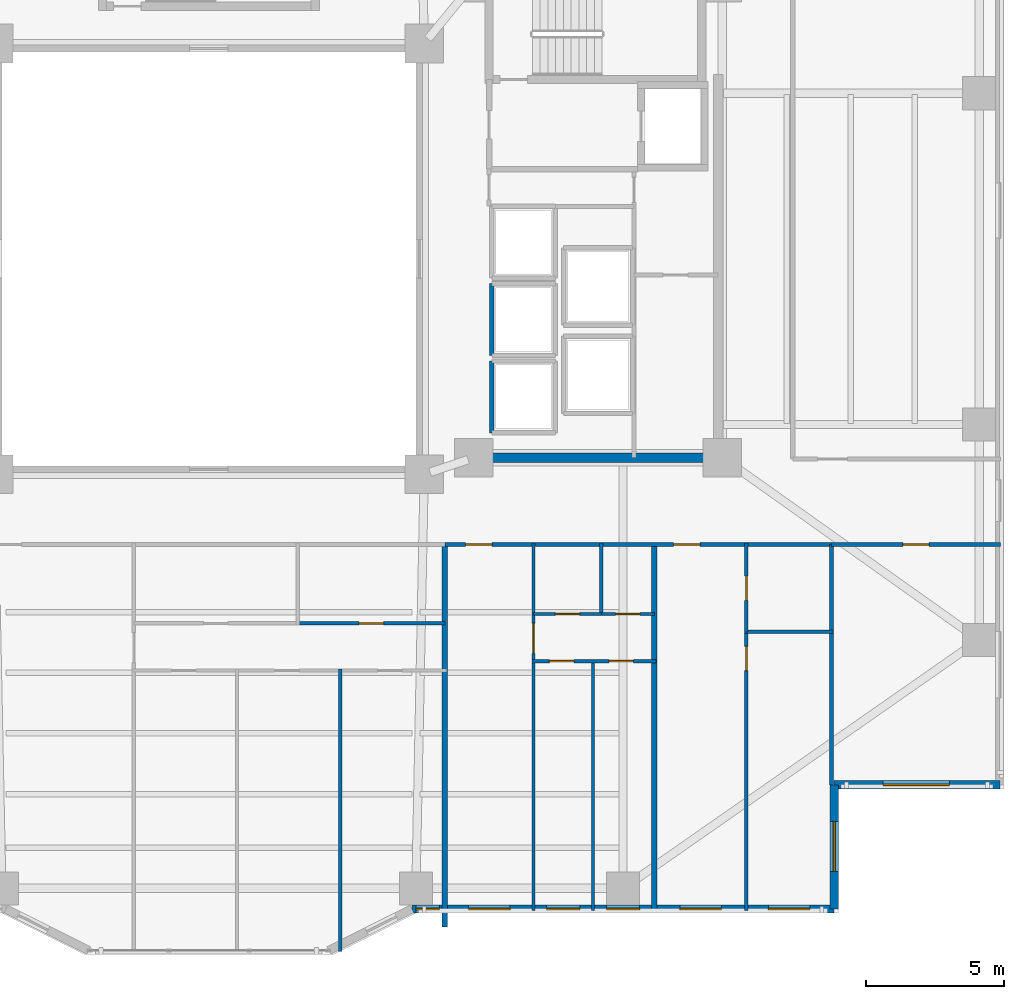
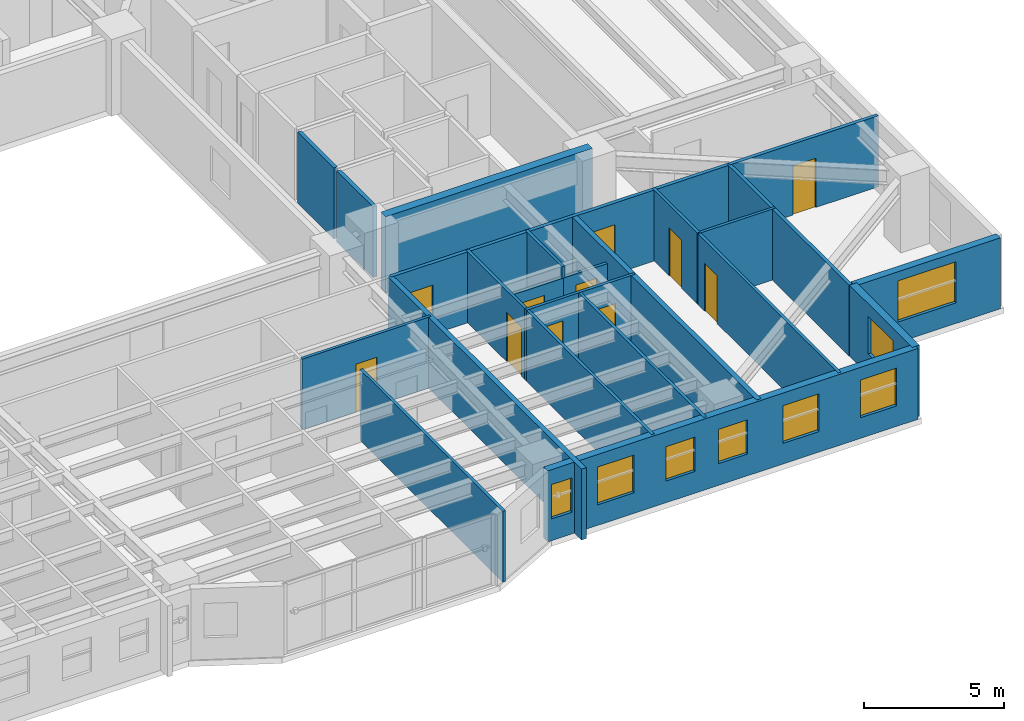
# One storey, part 12 of 21: 22 walls, 11 doors, 8 windows, 19 openings.
"""IFC4 building model written with IfcOpenShell, lengths in metres."""

from ifc_helpers import new_model, si_unit, direction, frame, frame_2d, origin, place, context, subcontext, project, spatial, rectangle, extrude, material, layer, layer_set, type_object, element, fill, save


model = new_model("IFC4")

# Units and contexts
model_context = context("Model", 3, precision=1e-05, world=origin(), true_north=direction((0.0, 1.0)))
body_context = subcontext(model_context, "Body", "Model", "MODEL_VIEW")
ifc_project = project(units=[si_unit("LENGTHUNIT", "METRE"), si_unit("AREAUNIT", "SQUARE_METRE"), si_unit("VOLUMEUNIT", "CUBIC_METRE"), si_unit("PLANEANGLEUNIT", "RADIAN"), si_unit("MASSUNIT", "GRAM", prefix="KILO")], contexts=[model_context])

# Site, building, storey
site_placement = place(None, origin())
site = spatial("IfcSite", under=ifc_project, at=site_placement, CompositionType="ELEMENT")
building_placement = place(site_placement, origin())
building = spatial("IfcBuilding", under=site, at=building_placement, Name="Tarnavaz Court Tower", CompositionType="ELEMENT")
storey_placement = place(building_placement, frame((0.0, 0.0, 40.75)))
storey = spatial("IfcBuildingStorey", under=building, at=storey_placement, Name="L10", CompositionType="ELEMENT", Elevation=40.75)

# Wall
ifc_material_1 = material(Name="Concrete C60/75", Category="concrete")
ifc_layer_1 = layer(ifc_material_1, 0.35009765625)
ifc_layer_set_1 = layer_set([ifc_layer_1], Name="Concrete C60/75")
wall_type_1 = type_object("IfcWallType", Name="WL-CORE-350-C60", PredefinedType="SHEAR", material=ifc_layer_set_1)
wall_1_placement = place(storey_placement, frame((10.074951171875, -7.199951171875, 0.0), z_axis=(0.0, 0.0, 1.0), x_axis=(1.0, 0.0, 0.0)))
element("IfcWall", 1, at=wall_1_placement, inside=storey, type_object=wall_type_1, Name="L10 East Core South Shear Wall 072", PredefinedType="SHEAR", context=body_context, shape_type="SweptSolid", body=[
    extrude(rectangle(XDim=8.550048828125, YDim=0.35009765625, at=frame_2d((4.27490234375, 0.0))), origin(), (0.0, 0.0, 1.0), 3.35009765625),
])

# Wall, opening, window
ifc_material_2 = material(Name="Precast Concrete C40/50", Category="concrete")
ifc_layer_2 = layer(ifc_material_2, 0.300048828125)
ifc_layer_set_2 = layer_set([ifc_layer_2], Name="Precast Concrete C40/50")
wall_type_2 = type_object("IfcWallType", Name="WL-EXT-300", PredefinedType="SOLIDWALL", material=ifc_layer_set_2)
wall_2_placement = place(storey_placement, frame((28.64990234375, -19.050048828125, 0.0), z_axis=(0.0, 0.0, 1.0), x_axis=(-1.0, 0.0, 0.0)))
wall_2 = element("IfcWall", 2, at=wall_2_placement, inside=storey, type_object=wall_type_2, Name="L10 Exterior Terracotta Facade Wall 13", PredefinedType="SOLIDWALL", context=body_context, shape_type="SweptSolid", body=[
    extrude(rectangle(XDim=6.0, YDim=0.300048828125, at=frame_2d((3.0, 0.0))), origin(), (0.0, 0.0, 1.0), 3.10009765625),
])
opening_1_placement = place(wall_2_placement, frame((1.824951171875, 0.0, 0.89990234375)))
opening_1 = element("IfcOpeningElement", 3, at=opening_1_placement, cuts=wall_2, Name="Opening W06", PredefinedType="OPENING", context=body_context, shape_type="SweptSolid", body=[
    extrude(rectangle(XDim=2.39990234375, YDim=1.800048828125, at=frame_2d((1.199951171875, 0.89990234375))), frame((0.0, 0.159912109375, 0.0), z_axis=(0.0, -1.0, 0.0), x_axis=(1.0, 0.0, 0.0)), (0.0, 0.0, 1.0), 0.320068359375),
])
ifc_material_3 = material(Name="Double-Glazed Solar Low-E Glass", Category="glass")
window_type_1 = type_object("IfcWindowType", Name="WN-APT-2400", PartitioningType="TRIPLE_PANEL_VERTICAL", PredefinedType="WINDOW", material=ifc_material_3)
window_1_placement = place(opening_1_placement, origin())
window_1 = element("IfcWindow", 4, at=window_1_placement, inside=storey, type_object=window_type_1, Name="L10 South-East Corner Reading Room Window", OverallHeight=1.800048828125, OverallWidth=2.39990234375, PartitioningType="SINGLE_PANEL", PredefinedType="WINDOW", context=body_context, shape_type="SweptSolid", body=[
    extrude(rectangle(XDim=2.39990234375, YDim=1.800048828125, at=frame_2d((1.199951171875, 0.89990234375))), frame((0.0, 0.030029296875, 0.0), z_axis=(0.0, -1.0, 0.0), x_axis=(1.0, 0.0, 0.0)), (0.0, 0.0, 1.0), 0.06005859375),
])
fill(opening_1, window_1)

wall_3_placement = place(storey_placement, frame((22.64990234375, -19.050048828125, 0.0), z_axis=(0.0, 0.0, 1.0), x_axis=(0.0, -1.0, 0.0)))
wall_3 = element("IfcWall", 5, at=wall_3_placement, inside=storey, type_object=wall_type_2, Name="L10 Exterior Terracotta Facade Wall 14", PredefinedType="SOLIDWALL", context=body_context, shape_type="SweptSolid", body=[
    extrude(rectangle(XDim=4.5, YDim=0.300048828125, at=frame_2d((2.25, 0.0))), origin(), (0.0, 0.0, 1.0), 3.10009765625),
])
opening_2_placement = place(wall_3_placement, frame((1.33251953125, 0.0, 0.89990234375)))
opening_2 = element("IfcOpeningElement", 6, at=opening_2_placement, cuts=wall_3, Name="Opening W01", PredefinedType="OPENING", context=body_context, shape_type="SweptSolid", body=[
    extrude(rectangle(XDim=1.800048828125, YDim=1.64990234375, at=frame_2d((0.89990234375, 0.824951171875))), frame((0.0, 0.159912109375, 0.0), z_axis=(0.0, -1.0, 0.0), x_axis=(1.0, 0.0, 0.0)), (0.0, 0.0, 1.0), 0.320068359375),
])
window_type_2 = type_object("IfcWindowType", Name="WN-APT-1800", PartitioningType="DOUBLE_PANEL_VERTICAL", PredefinedType="WINDOW", material=ifc_material_3)
window_2_placement = place(opening_2_placement, origin())
window_2 = element("IfcWindow", 7, at=window_2_placement, inside=storey, type_object=window_type_2, Name="L10 Flat 06 Kitchen Window", OverallHeight=1.64990234375, OverallWidth=1.800048828125, PartitioningType="SINGLE_PANEL", PredefinedType="WINDOW", context=body_context, shape_type="SweptSolid", body=[
    extrude(rectangle(XDim=1.800048828125, YDim=1.64990234375, at=frame_2d((0.89990234375, 0.824951171875))), frame((0.0, 0.030029296875, 0.0), z_axis=(0.0, -1.0, 0.0), x_axis=(1.0, 0.0, 0.0)), (0.0, 0.0, 1.0), 0.06005859375),
])
fill(opening_2, window_2)

# Wall, openings, windows
wall_4_placement = place(storey_placement, frame((22.64990234375, -23.550048828125, 0.0), z_axis=(0.0, 0.0, 1.0), x_axis=(-1.0, 0.0, 0.0)))
wall_4 = element("IfcWall", 8, at=wall_4_placement, inside=storey, type_object=wall_type_2, Name="L10 Exterior Terracotta Facade Wall 15", PredefinedType="SOLIDWALL", context=body_context, shape_type="SweptSolid", body=[
    extrude(rectangle(XDim=15.2998046875, YDim=0.300048828125, at=frame_2d((7.64990234375, 0.0))), origin(), (0.0, 0.0, 1.0), 3.10009765625),
])
opening_3_placement = place(wall_4_placement, frame((0.88037109375, 0.0, 0.89990234375)))
opening_3 = element("IfcOpeningElement", 9, at=opening_3_placement, cuts=wall_4, Name="Opening W03", PredefinedType="OPENING", context=body_context, shape_type="SweptSolid", body=[
    extrude(rectangle(XDim=1.5, YDim=1.64990234375, at=frame_2d((0.75, 0.824951171875))), frame((0.0, 0.159912109375, 0.0), z_axis=(0.0, -1.0, 0.0), x_axis=(1.0, 0.0, 0.0)), (0.0, 0.0, 1.0), 0.320068359375),
])
opening_4_placement = place(wall_4_placement, frame((4.0908203125, 0.0, 0.89990234375)))
opening_4 = element("IfcOpeningElement", 10, at=opening_4_placement, cuts=wall_4, Name="Opening W03", PredefinedType="OPENING", context=body_context, shape_type="SweptSolid", body=[
    extrude(rectangle(XDim=1.5, YDim=1.64990234375, at=frame_2d((0.75, 0.824951171875))), frame((0.0, 0.159912109375, 0.0), z_axis=(0.0, -1.0, 0.0), x_axis=(1.0, 0.0, 0.0)), (0.0, 0.0, 1.0), 0.320068359375),
])
opening_5_placement = place(wall_4_placement, frame((7.04541015625, 0.0, 0.949951171875)))
opening_5 = element("IfcOpeningElement", 11, at=opening_5_placement, cuts=wall_4, Name="Opening W05", PredefinedType="OPENING", context=body_context, shape_type="SweptSolid", body=[
    extrude(rectangle(XDim=1.199951171875, YDim=1.5, at=frame_2d((0.60009765625, 0.75))), frame((0.0, 0.159912109375, 0.0), z_axis=(0.0, -1.0, 0.0), x_axis=(1.0, 0.0, 0.0)), (0.0, 0.0, 1.0), 0.320068359375),
])
opening_6_placement = place(wall_4_placement, frame((9.2119140625, 0.0, 0.949951171875)))
opening_6 = element("IfcOpeningElement", 12, at=opening_6_placement, cuts=wall_4, Name="Opening W05", PredefinedType="OPENING", context=body_context, shape_type="SweptSolid", body=[
    extrude(rectangle(XDim=1.199951171875, YDim=1.5, at=frame_2d((0.60009765625, 0.75))), frame((0.0, 0.159912109375, 0.0), z_axis=(0.0, -1.0, 0.0), x_axis=(1.0, 0.0, 0.0)), (0.0, 0.0, 1.0), 0.320068359375),
])
opening_7_placement = place(wall_4_placement, frame((11.74072265625, 0.0, 0.89990234375)))
opening_7 = element("IfcOpeningElement", 13, at=opening_7_placement, cuts=wall_4, Name="Opening W03", PredefinedType="OPENING", context=body_context, shape_type="SweptSolid", body=[
    extrude(rectangle(XDim=1.5, YDim=1.64990234375, at=frame_2d((0.75, 0.824951171875))), frame((0.0, 0.159912109375, 0.0), z_axis=(0.0, -1.0, 0.0), x_axis=(1.0, 0.0, 0.0)), (0.0, 0.0, 1.0), 0.320068359375),
])
opening_8_placement = place(wall_4_placement, frame((14.30322265625, 0.0, 0.949951171875)))
opening_8 = element("IfcOpeningElement", 14, at=opening_8_placement, cuts=wall_4, Name="Opening W15", PredefinedType="OPENING", context=body_context, shape_type="SweptSolid", body=[
    extrude(rectangle(XDim=0.85009765625, YDim=1.5, at=frame_2d((0.425048828125, 0.75))), frame((0.0, 0.159912109375, 0.0), z_axis=(0.0, -1.0, 0.0), x_axis=(1.0, 0.0, 0.0)), (0.0, 0.0, 1.0), 0.320068359375),
])
window_type_3 = type_object("IfcWindowType", Name="WN-APT-1200", PartitioningType="SINGLE_PANEL", PredefinedType="WINDOW", material=ifc_material_3)
window_3_placement = place(opening_5_placement, origin())
window_3 = element("IfcWindow", 15, at=window_3_placement, inside=storey, type_object=window_type_3, Name="L10 Flat 05 Bedroom 2 Window", OverallHeight=1.5, OverallWidth=1.199951171875, PartitioningType="SINGLE_PANEL", PredefinedType="WINDOW", context=body_context, shape_type="SweptSolid", body=[
    extrude(rectangle(XDim=1.199951171875, YDim=1.5, at=frame_2d((0.60009765625, 0.75))), frame((0.0, 0.030029296875, 0.0), z_axis=(0.0, -1.0, 0.0), x_axis=(1.0, 0.0, 0.0)), (0.0, 0.0, 1.0), 0.06005859375),
])
fill(opening_5, window_3)
window_4_placement = place(opening_6_placement, origin())
window_4 = element("IfcWindow", 16, at=window_4_placement, inside=storey, type_object=window_type_3, Name="L10 Flat 05 Principal Bedroom Window", OverallHeight=1.5, OverallWidth=1.199951171875, PartitioningType="SINGLE_PANEL", PredefinedType="WINDOW", context=body_context, shape_type="SweptSolid", body=[
    extrude(rectangle(XDim=1.199951171875, YDim=1.5, at=frame_2d((0.60009765625, 0.75))), frame((0.0, 0.030029296875, 0.0), z_axis=(0.0, -1.0, 0.0), x_axis=(1.0, 0.0, 0.0)), (0.0, 0.0, 1.0), 0.06005859375),
])
fill(opening_6, window_4)
window_type_4 = type_object("IfcWindowType", Name="WN-APT-1500", PartitioningType="DOUBLE_PANEL_VERTICAL", PredefinedType="WINDOW", material=ifc_material_3)
window_5_placement = place(opening_3_placement, origin())
window_5 = element("IfcWindow", 17, at=window_5_placement, inside=storey, type_object=window_type_4, Name="L10 Flat 06 Kitchen Window", OverallHeight=1.64990234375, OverallWidth=1.5, PartitioningType="SINGLE_PANEL", PredefinedType="WINDOW", context=body_context, shape_type="SweptSolid", body=[
    extrude(rectangle(XDim=1.5, YDim=1.64990234375, at=frame_2d((0.75, 0.824951171875))), frame((0.0, 0.030029296875, 0.0), z_axis=(0.0, -1.0, 0.0), x_axis=(1.0, 0.0, 0.0)), (0.0, 0.0, 1.0), 0.06005859375),
])
fill(opening_3, window_5)
window_6_placement = place(opening_4_placement, origin())
window_6 = element("IfcWindow", 18, at=window_6_placement, inside=storey, type_object=window_type_4, Name="L10 Flat 06 Studio Living and Sleeping Room Window", OverallHeight=1.64990234375, OverallWidth=1.5, PartitioningType="SINGLE_PANEL", PredefinedType="WINDOW", context=body_context, shape_type="SweptSolid", body=[
    extrude(rectangle(XDim=1.5, YDim=1.64990234375, at=frame_2d((0.75, 0.824951171875))), frame((0.0, 0.030029296875, 0.0), z_axis=(0.0, -1.0, 0.0), x_axis=(1.0, 0.0, 0.0)), (0.0, 0.0, 1.0), 0.06005859375),
])
fill(opening_4, window_6)
window_7_placement = place(opening_7_placement, origin())
window_7 = element("IfcWindow", 19, at=window_7_placement, inside=storey, type_object=window_type_4, Name="L10 Flat 05 Living and Dining Room Window", OverallHeight=1.64990234375, OverallWidth=1.5, PartitioningType="SINGLE_PANEL", PredefinedType="WINDOW", context=body_context, shape_type="SweptSolid", body=[
    extrude(rectangle(XDim=1.5, YDim=1.64990234375, at=frame_2d((0.75, 0.824951171875))), frame((0.0, 0.030029296875, 0.0), z_axis=(0.0, -1.0, 0.0), x_axis=(1.0, 0.0, 0.0)), (0.0, 0.0, 1.0), 0.06005859375),
])
fill(opening_7, window_7)
window_type_5 = type_object("IfcWindowType", Name="WN-APT-850", PartitioningType="SINGLE_PANEL", PredefinedType="WINDOW", material=ifc_material_3)
window_8_placement = place(opening_8_placement, origin())
window_8 = element("IfcWindow", 20, at=window_8_placement, inside=storey, type_object=window_type_5, Name="L10 Flat 07 Bedroom 3 Window", OverallHeight=1.5, OverallWidth=0.85009765625, PartitioningType="SINGLE_PANEL", PredefinedType="WINDOW", context=body_context, shape_type="SweptSolid", body=[
    extrude(rectangle(XDim=0.85009765625, YDim=1.5, at=frame_2d((0.425048828125, 0.75))), frame((0.0, 0.030029296875, 0.0), z_axis=(0.0, -1.0, 0.0), x_axis=(1.0, 0.0, 0.0)), (0.0, 0.0, 1.0), 0.06005859375),
])
fill(opening_8, window_8)

# Wall, openings, doors
ifc_material_4 = material(Name="Gypsum Fire-Board on Acoustic Metal Stud", Category="masonry")
ifc_layer_3 = layer(ifc_material_4, 0.14990234375)
ifc_layer_set_3 = layer_set([ifc_layer_3], Name="Gypsum Fire-Board on Acoustic Metal Stud")
wall_type_3 = type_object("IfcWallType", Name="WL-FIRE-150", PredefinedType="PARTITIONING", material=ifc_layer_set_3)
wall_5_placement = place(storey_placement, frame((8.550048828125, -10.35009765625, 0.0), z_axis=(0.0, 0.0, 1.0), x_axis=(1.0, 0.0, 0.0)))
wall_5 = element("IfcWall", 21, at=wall_5_placement, inside=storey, type_object=wall_type_3, Name="L10 SE Corridor Wall 087", PredefinedType="PARTITIONING", context=body_context, shape_type="SweptSolid", body=[
    extrude(rectangle(XDim=14.0, YDim=0.14990234375, at=frame_2d((7.0, 0.0))), origin(), (0.0, 0.0, 1.0), 3.10009765625),
])
opening_9_placement = place(wall_5_placement, frame((0.75, 0.0, 0.0)))
opening_9 = element("IfcOpeningElement", 22, at=opening_9_placement, cuts=wall_5, Name="Opening D06", PredefinedType="OPENING", context=body_context, shape_type="SweptSolid", body=[
    extrude(rectangle(XDim=0.9599609375, YDim=2.14990234375, at=frame_2d((0.47998046875, 1.074951171875))), frame((0.0, 0.0849609375, 0.0), z_axis=(0.0, -1.0, 0.0), x_axis=(1.0, 0.0, 0.0)), (0.0, 0.0, 1.0), 0.169921875),
])
opening_10_placement = place(wall_5_placement, frame((8.282958984375, 0.0, 0.0)))
opening_10 = element("IfcOpeningElement", 23, at=opening_10_placement, cuts=wall_5, Name="Opening D06", PredefinedType="OPENING", context=body_context, shape_type="SweptSolid", body=[
    extrude(rectangle(XDim=0.9599609375, YDim=2.14990234375, at=frame_2d((0.47998046875, 1.074951171875))), frame((0.0, 0.0849609375, 0.0), z_axis=(0.0, -1.0, 0.0), x_axis=(1.0, 0.0, 0.0)), (0.0, 0.0, 1.0), 0.169921875),
])
ifc_material_5 = material(Name="Fire-Rated Hardwood Timber Core", Category="wood")
door_type_1 = type_object("IfcDoorType", Name="DR-FD60-950", OperationType="NOTDEFINED", PredefinedType="DOOR", material=ifc_material_5)
door_1_placement = place(opening_9_placement, origin())
door_1 = element("IfcDoor", 24, at=door_1_placement, inside=storey, type_object=door_type_1, Name="L10 Flat 05 Entrance Door", OperationType="SINGLE_SWING_LEFT", OverallHeight=2.14990234375, OverallWidth=0.9599609375, PredefinedType="DOOR", context=body_context, shape_type="SweptSolid", body=[
    extrude(rectangle(XDim=0.9599609375, YDim=2.14990234375, at=frame_2d((0.47998046875, 1.074951171875))), frame((0.0, 0.02490234375, 0.0), z_axis=(0.0, -1.0, 0.0), x_axis=(1.0, 0.0, 0.0)), (0.0, 0.0, 1.0), 0.050048828125),
])
fill(opening_9, door_1)
door_2_placement = place(opening_10_placement, origin())
door_2 = element("IfcDoor", 25, at=door_2_placement, inside=storey, type_object=door_type_1, Name="L10 Flat 06 Entrance Door", OperationType="SINGLE_SWING_LEFT", OverallHeight=2.14990234375, OverallWidth=0.9599609375, PredefinedType="DOOR", context=body_context, shape_type="SweptSolid", body=[
    extrude(rectangle(XDim=0.9599609375, YDim=2.14990234375, at=frame_2d((0.47998046875, 1.074951171875))), frame((0.0, 0.02490234375, 0.0), z_axis=(0.0, -1.0, 0.0), x_axis=(1.0, 0.0, 0.0)), (0.0, 0.0, 1.0), 0.050048828125),
])
fill(opening_10, door_2)

# Wall, opening, door
wall_6_placement = place(storey_placement, frame((22.550048828125, -10.35009765625, 0.0), z_axis=(0.0, 0.0, 1.0), x_axis=(1.0, 0.0, 0.0)))
wall_6 = element("IfcWall", 26, at=wall_6_placement, inside=storey, type_object=wall_type_3, Name="L10 Interior Partition 145", PredefinedType="PARTITIONING", context=body_context, shape_type="SweptSolid", body=[
    extrude(rectangle(XDim=6.1298828125, YDim=0.14990234375, at=frame_2d((3.06494140625, 0.0))), origin(), (0.0, 0.0, 1.0), 3.10009765625),
])
opening_11_placement = place(wall_6_placement, frame((2.590087890625, 0.0, 0.0)))
opening_11 = element("IfcOpeningElement", 27, at=opening_11_placement, cuts=wall_6, Name="Opening D13", PredefinedType="OPENING", context=body_context, shape_type="SweptSolid", body=[
    extrude(rectangle(XDim=0.949951171875, YDim=2.14990234375, at=frame_2d((0.47509765625, 1.074951171875))), frame((0.0, 0.0849609375, 0.0), z_axis=(0.0, -1.0, 0.0), x_axis=(1.0, 0.0, 0.0)), (0.0, 0.0, 1.0), 0.169921875),
])
ifc_material_6 = material(Name="Engineered Oak Timber", Category="wood")
door_type_2 = type_object("IfcDoorType", Name="DR-INT-950", OperationType="NOTDEFINED", PredefinedType="DOOR", material=ifc_material_6)
door_3_placement = place(opening_11_placement, origin())
door_3 = element("IfcDoor", 28, at=door_3_placement, inside=storey, type_object=door_type_2, Name="L10 SE Reading Room Door", OperationType="SINGLE_SWING_RIGHT", OverallHeight=2.14990234375, OverallWidth=0.949951171875, PredefinedType="DOOR", context=body_context, shape_type="SweptSolid", body=[
    extrude(rectangle(XDim=0.949951171875, YDim=2.14990234375, at=frame_2d((0.47509765625, 1.074951171875))), frame((0.0, 0.02490234375, 0.0), z_axis=(0.0, -1.0, 0.0), x_axis=(1.0, 0.0, 0.0)), (0.0, 0.0, 1.0), 0.050048828125),
])
fill(opening_11, door_3)

# Walls
ifc_material_7 = material(Name="Autoclaved Aerated Concrete Blockwork", Category="masonry")
ifc_layer_4 = layer(ifc_material_7, 0.199951171875)
ifc_layer_set_4 = layer_set([ifc_layer_4], Name="Autoclaved Aerated Concrete Blockwork")
wall_type_4 = type_object("IfcWallType", Name="WL-FIRE-200", PredefinedType="SOLIDWALL", material=ifc_layer_set_4)
wall_7_placement = place(storey_placement, frame((16.133056640625, -23.60009765625, 0.0), z_axis=(0.0, 0.0, 1.0), x_axis=(0.0, 1.0, 0.0)))
element("IfcWall", 29, at=wall_7_placement, inside=storey, type_object=wall_type_4, Name="L10 Party Wall 115", PredefinedType="SOLIDWALL", context=body_context, shape_type="SweptSolid", body=[
    extrude(rectangle(XDim=13.25, YDim=0.199951171875, at=frame_2d((6.625, 0.0))), origin(), (0.0, 0.0, 1.0), 3.10009765625),
])
wall_8_placement = place(storey_placement, frame((8.550048828125, -24.2041015625, 0.0), z_axis=(0.0, 0.0, 1.0), x_axis=(0.0, 1.0, 0.0)))
element("IfcWall", 30, at=wall_8_placement, inside=storey, type_object=wall_type_4, Name="L10 Party Wall 126", PredefinedType="SOLIDWALL", context=body_context, shape_type="SweptSolid", body=[
    extrude(rectangle(XDim=13.85400390625, YDim=0.199951171875, at=frame_2d((6.927001953125, 0.0))), origin(), (0.0, 0.0, 1.0), 3.10009765625),
])

# Wall, opening, door
ifc_material_8 = material(Name="Moisture-Resistant Gypsum Board Partition", Category="masonry")
ifc_layer_5 = layer(ifc_material_8, 0.1201171875)
ifc_layer_set_5 = layer_set([ifc_layer_5], Name="Moisture-Resistant Gypsum Board Partition")
wall_type_5 = type_object("IfcWallType", Name="WL-PART-120", PredefinedType="PARTITIONING", material=ifc_layer_set_5)
wall_9_placement = place(storey_placement, frame((11.760009765625, -23.60009765625, 0.0), z_axis=(0.0, 0.0, 1.0), x_axis=(0.0, 1.0, 0.0)))
wall_9 = element("IfcWall", 31, at=wall_9_placement, inside=storey, type_object=wall_type_5, Name="L10 Interior Partition 116", PredefinedType="PARTITIONING", context=body_context, shape_type="SweptSolid", body=[
    extrude(rectangle(XDim=13.31005859375, YDim=0.1201171875, at=frame_2d((6.655029296875, 0.0))), origin(), (0.0, 0.0, 1.0), 3.10009765625),
])
opening_12_placement = place(wall_9_placement, frame((9.31494140625, 0.0, 0.0)))
opening_12 = element("IfcOpeningElement", 32, at=opening_12_placement, cuts=wall_9, Name="Opening D12", PredefinedType="OPENING", context=body_context, shape_type="SweptSolid", body=[
    extrude(rectangle(XDim=1.080078125, YDim=2.14990234375, at=frame_2d((0.5400390625, 1.074951171875))), frame((0.0, 0.070068359375, 0.0), z_axis=(0.0, -1.0, 0.0), x_axis=(1.0, 0.0, 0.0)), (0.0, 0.0, 1.0), 0.14013671875),
])
door_type_3 = type_object("IfcDoorType", Name="DR-INT-1100", OperationType="NOTDEFINED", PredefinedType="DOOR", material=ifc_material_6)
door_4_placement = place(opening_12_placement, origin())
door_4 = element("IfcDoor", 33, at=door_4_placement, inside=storey, type_object=door_type_3, Name="L10 Flat 05 Foyer Door", OperationType="SINGLE_SWING_RIGHT", OverallHeight=2.14990234375, OverallWidth=1.080078125, PredefinedType="DOOR", context=body_context, shape_type="SweptSolid", body=[
    extrude(rectangle(XDim=1.080078125, YDim=2.14990234375, at=frame_2d((0.5400390625, 1.074951171875))), frame((0.0, 0.02490234375, 0.0), z_axis=(0.0, -1.0, 0.0), x_axis=(1.0, 0.0, 0.0)), (0.0, 0.0, 1.0), 0.050048828125),
])
fill(opening_12, door_4)

wall_10_placement = place(storey_placement, frame((11.760009765625, -12.860107421875, 0.0), z_axis=(0.0, 0.0, 1.0), x_axis=(1.0, 0.0, 0.0)))
wall_10 = element("IfcWall", 34, at=wall_10_placement, inside=storey, type_object=wall_type_5, Name="L10 Interior Partition 117", PredefinedType="PARTITIONING", context=body_context, shape_type="SweptSolid", body=[
    extrude(rectangle(XDim=2.4580078125, YDim=0.1201171875, at=frame_2d((1.22900390625, 0.0))), origin(), (0.0, 0.0, 1.0), 2.5849609375),
])
opening_13_placement = place(wall_10_placement, frame((0.7890625, 0.0, 0.0)))
opening_13 = element("IfcOpeningElement", 35, at=opening_13_placement, cuts=wall_10, Name="Opening D14", PredefinedType="OPENING", context=body_context, shape_type="SweptSolid", body=[
    extrude(rectangle(XDim=0.8798828125, YDim=2.10009765625, at=frame_2d((0.43994140625, 1.050048828125))), frame((0.0, 0.070068359375, 0.0), z_axis=(0.0, -1.0, 0.0), x_axis=(1.0, 0.0, 0.0)), (0.0, 0.0, 1.0), 0.14013671875),
])
door_type_4 = type_object("IfcDoorType", Name="DR-INT-900", OperationType="NOTDEFINED", PredefinedType="DOOR", material=ifc_material_6)
door_5_placement = place(opening_13_placement, origin())
door_5 = element("IfcDoor", 36, at=door_5_placement, inside=storey, type_object=door_type_4, Name="L10 Flat 05 Kitchen Door", OperationType="SINGLE_SWING_LEFT", OverallHeight=2.10009765625, OverallWidth=0.8798828125, PredefinedType="DOOR", context=body_context, shape_type="SweptSolid", body=[
    extrude(rectangle(XDim=0.8798828125, YDim=2.10009765625, at=frame_2d((0.43994140625, 1.050048828125))), frame((0.0, 0.02490234375, 0.0), z_axis=(0.0, -1.0, 0.0), x_axis=(1.0, 0.0, 0.0)), (0.0, 0.0, 1.0), 0.050048828125),
])
fill(opening_13, door_5)

wall_11_placement = place(storey_placement, frame((14.218017578125, -12.860107421875, 0.0), z_axis=(0.0, 0.0, 1.0), x_axis=(1.0, 0.0, 0.0)))
wall_11 = element("IfcWall", 37, at=wall_11_placement, inside=storey, type_object=wall_type_5, Name="L10 Interior Partition 118", PredefinedType="PARTITIONING", context=body_context, shape_type="SweptSolid", body=[
    extrude(rectangle(XDim=1.9150390625, YDim=0.1201171875, at=frame_2d((0.95751953125, 0.0))), origin(), (0.0, 0.0, 1.0), 2.5849609375),
])
opening_14_placement = place(wall_11_placement, frame((0.51708984375, 0.0, 0.0)))
opening_14 = element("IfcOpeningElement", 38, at=opening_14_placement, cuts=wall_11, Name="Opening D14", PredefinedType="OPENING", context=body_context, shape_type="SweptSolid", body=[
    extrude(rectangle(XDim=0.8798828125, YDim=2.10009765625, at=frame_2d((0.43994140625, 1.050048828125))), frame((0.0, 0.070068359375, 0.0), z_axis=(0.0, -1.0, 0.0), x_axis=(1.0, 0.0, 0.0)), (0.0, 0.0, 1.0), 0.14013671875),
])
door_6_placement = place(opening_14_placement, origin())
door_6 = element("IfcDoor", 39, at=door_6_placement, inside=storey, type_object=door_type_4, Name="L10 Flat 05 Bathroom Door", OperationType="SINGLE_SWING_RIGHT", OverallHeight=2.10009765625, OverallWidth=0.8798828125, PredefinedType="DOOR", context=body_context, shape_type="SweptSolid", body=[
    extrude(rectangle(XDim=0.8798828125, YDim=2.10009765625, at=frame_2d((0.43994140625, 1.050048828125))), frame((0.0, 0.02490234375, 0.0), z_axis=(0.0, -1.0, 0.0), x_axis=(1.0, 0.0, 0.0)), (0.0, 0.0, 1.0), 0.050048828125),
])
fill(opening_14, door_6)

# Wall, openings, doors
wall_12_placement = place(storey_placement, frame((11.699951171875, -14.570068359375, 0.0), z_axis=(0.0, 0.0, 1.0), x_axis=(1.0, 0.0, 0.0)))
wall_12 = element("IfcWall", 40, at=wall_12_placement, inside=storey, type_object=wall_type_5, Name="L10 Interior Partition 119", PredefinedType="PARTITIONING", context=body_context, shape_type="SweptSolid", body=[
    extrude(rectangle(XDim=4.4931640625, YDim=0.1201171875, at=frame_2d((2.24658203125, 0.0))), origin(), (0.0, 0.0, 1.0), 3.10009765625),
])
opening_15_placement = place(wall_12_placement, frame((0.637939453125, 0.0, 0.0)))
opening_15 = element("IfcOpeningElement", 41, at=opening_15_placement, cuts=wall_12, Name="Opening D14", PredefinedType="OPENING", context=body_context, shape_type="SweptSolid", body=[
    extrude(rectangle(XDim=0.8798828125, YDim=2.10009765625, at=frame_2d((0.43994140625, 1.050048828125))), frame((0.0, 0.070068359375, 0.0), z_axis=(0.0, -1.0, 0.0), x_axis=(1.0, 0.0, 0.0)), (0.0, 0.0, 1.0), 0.14013671875),
])
opening_16_placement = place(wall_12_placement, frame((2.794921875, 0.0, 0.0)))
opening_16 = element("IfcOpeningElement", 42, at=opening_16_placement, cuts=wall_12, Name="Opening D14", PredefinedType="OPENING", context=body_context, shape_type="SweptSolid", body=[
    extrude(rectangle(XDim=0.8798828125, YDim=2.10009765625, at=frame_2d((0.43994140625, 1.050048828125))), frame((0.0, 0.070068359375, 0.0), z_axis=(0.0, -1.0, 0.0), x_axis=(1.0, 0.0, 0.0)), (0.0, 0.0, 1.0), 0.14013671875),
])
door_7_placement = place(opening_15_placement, origin())
door_7 = element("IfcDoor", 43, at=door_7_placement, inside=storey, type_object=door_type_4, Name="L10 Flat 05 Bedroom 1 Door", OperationType="SINGLE_SWING_LEFT", OverallHeight=2.10009765625, OverallWidth=0.8798828125, PredefinedType="DOOR", context=body_context, shape_type="SweptSolid", body=[
    extrude(rectangle(XDim=0.8798828125, YDim=2.10009765625, at=frame_2d((0.43994140625, 1.050048828125))), frame((0.0, 0.02490234375, 0.0), z_axis=(0.0, -1.0, 0.0), x_axis=(1.0, 0.0, 0.0)), (0.0, 0.0, 1.0), 0.050048828125),
])
fill(opening_15, door_7)
door_8_placement = place(opening_16_placement, origin())
door_8 = element("IfcDoor", 44, at=door_8_placement, inside=storey, type_object=door_type_4, Name="L10 Flat 05 Bedroom 2 Door", OperationType="SINGLE_SWING_RIGHT", OverallHeight=2.10009765625, OverallWidth=0.8798828125, PredefinedType="DOOR", context=body_context, shape_type="SweptSolid", body=[
    extrude(rectangle(XDim=0.8798828125, YDim=2.10009765625, at=frame_2d((0.43994140625, 1.050048828125))), frame((0.0, 0.02490234375, 0.0), z_axis=(0.0, -1.0, 0.0), x_axis=(1.0, 0.0, 0.0)), (0.0, 0.0, 1.0), 0.050048828125),
])
fill(opening_16, door_8)

# Walls
wall_13_placement = place(storey_placement, frame((14.218017578125, -12.919921875, 0.0), z_axis=(0.0, 0.0, 1.0), x_axis=(0.0, 1.0, 0.0)))
element("IfcWall", 45, at=wall_13_placement, inside=storey, type_object=wall_type_5, Name="L10 Interior Partition 120", PredefinedType="PARTITIONING", context=body_context, shape_type="SweptSolid", body=[
    extrude(rectangle(XDim=2.6298828125, YDim=0.1201171875, at=frame_2d((1.31494140625, 0.0))), origin(), (0.0, 0.0, 1.0), 3.10009765625),
])
wall_14_placement = place(storey_placement, frame((13.916015625, -23.60009765625, 0.0), z_axis=(0.0, 0.0, 1.0), x_axis=(0.0, 1.0, 0.0)))
element("IfcWall", 46, at=wall_14_placement, inside=storey, type_object=wall_type_5, Name="L10 Interior Partition 121", PredefinedType="PARTITIONING", context=body_context, shape_type="SweptSolid", body=[
    extrude(rectangle(XDim=9.090087890625, YDim=0.1201171875, at=frame_2d((4.544921875, 0.0))), origin(), (0.0, 0.0, 1.0), 3.10009765625),
])

# Wall, opening, door
wall_15_placement = place(storey_placement, frame((19.467041015625, -23.60009765625, 0.0), z_axis=(0.0, 0.0, 1.0), x_axis=(0.0, 1.0, 0.0)))
wall_15 = element("IfcWall", 47, at=wall_15_placement, inside=storey, type_object=wall_type_5, Name="L10 Interior Partition 122", PredefinedType="PARTITIONING", context=body_context, shape_type="SweptSolid", body=[
    extrude(rectangle(XDim=10.090087890625, YDim=0.1201171875, at=frame_2d((5.044921875, 0.0))), origin(), (0.0, 0.0, 1.0), 3.10009765625),
])
opening_17_placement = place(wall_15_placement, frame((8.68994140625, 0.0, 0.0)))
opening_17 = element("IfcOpeningElement", 48, at=opening_17_placement, cuts=wall_15, Name="Opening D14", PredefinedType="OPENING", context=body_context, shape_type="SweptSolid", body=[
    extrude(rectangle(XDim=0.8798828125, YDim=2.10009765625, at=frame_2d((0.43994140625, 1.050048828125))), frame((0.0, 0.070068359375, 0.0), z_axis=(0.0, -1.0, 0.0), x_axis=(1.0, 0.0, 0.0)), (0.0, 0.0, 1.0), 0.14013671875),
])
door_9_placement = place(opening_17_placement, origin())
door_9 = element("IfcDoor", 49, at=door_9_placement, inside=storey, type_object=door_type_4, Name="L10 Flat 06 Kitchen Door", OperationType="SINGLE_SWING_RIGHT", OverallHeight=2.10009765625, OverallWidth=0.8798828125, PredefinedType="DOOR", context=body_context, shape_type="SweptSolid", body=[
    extrude(rectangle(XDim=0.8798828125, YDim=2.10009765625, at=frame_2d((0.43994140625, 1.050048828125))), frame((0.0, 0.02490234375, 0.0), z_axis=(0.0, -1.0, 0.0), x_axis=(1.0, 0.0, 0.0)), (0.0, 0.0, 1.0), 0.050048828125),
])
fill(opening_17, door_9)

wall_16_placement = place(storey_placement, frame((19.467041015625, -13.510009765625, 0.0), z_axis=(0.0, 0.0, 1.0), x_axis=(0.0, 1.0, 0.0)))
wall_16 = element("IfcWall", 50, at=wall_16_placement, inside=storey, type_object=wall_type_5, Name="L10 Interior Partition 123", PredefinedType="PARTITIONING", context=body_context, shape_type="SweptSolid", body=[
    extrude(rectangle(XDim=3.219970703125, YDim=0.1201171875, at=frame_2d((1.60986328125, 0.0))), origin(), (0.0, 0.0, 1.0), 3.10009765625),
])
opening_18_placement = place(wall_16_placement, frame((1.139892578125, 0.0, 0.0)))
opening_18 = element("IfcOpeningElement", 51, at=opening_18_placement, cuts=wall_16, Name="Opening D14", PredefinedType="OPENING", context=body_context, shape_type="SweptSolid", body=[
    extrude(rectangle(XDim=0.8798828125, YDim=2.10009765625, at=frame_2d((0.43994140625, 1.050048828125))), frame((0.0, 0.070068359375, 0.0), z_axis=(0.0, -1.0, 0.0), x_axis=(1.0, 0.0, 0.0)), (0.0, 0.0, 1.0), 0.14013671875),
])
door_10_placement = place(opening_18_placement, origin())
door_10 = element("IfcDoor", 52, at=door_10_placement, inside=storey, type_object=door_type_4, Name="L10 Flat 06 Bathroom Door", OperationType="SINGLE_SWING_LEFT", OverallHeight=2.10009765625, OverallWidth=0.8798828125, PredefinedType="DOOR", context=body_context, shape_type="SweptSolid", body=[
    extrude(rectangle(XDim=0.8798828125, YDim=2.10009765625, at=frame_2d((0.43994140625, 1.050048828125))), frame((0.0, 0.02490234375, 0.0), z_axis=(0.0, -1.0, 0.0), x_axis=(1.0, 0.0, 0.0)), (0.0, 0.0, 1.0), 0.050048828125),
])
fill(opening_18, door_10)

# Wall
wall_17_placement = place(storey_placement, frame((19.406982421875, -13.510009765625, 0.0), z_axis=(0.0, 0.0, 1.0), x_axis=(1.0, 0.0, 0.0)))
element("IfcWall", 53, at=wall_17_placement, inside=storey, type_object=wall_type_5, Name="L10 Interior Partition 124", PredefinedType="PARTITIONING", context=body_context, shape_type="SweptSolid", body=[
    extrude(rectangle(XDim=3.203125, YDim=0.1201171875, at=frame_2d((1.6015625, 0.0))), origin(), (0.0, 0.0, 1.0), 3.10009765625),
])

# Wall, opening, door
wall_18_placement = place(storey_placement, frame((3.222900390625, -13.199951171875, 0.0), z_axis=(0.0, 0.0, 1.0), x_axis=(1.0, 0.0, 0.0)))
wall_18 = element("IfcWall", 54, at=wall_18_placement, inside=storey, type_object=wall_type_5, Name="L10 Interior Partition 129", PredefinedType="PARTITIONING", context=body_context, shape_type="SweptSolid", body=[
    extrude(rectangle(XDim=5.3271484375, YDim=0.1201171875, at=frame_2d((2.66357421875, 0.0))), origin(), (0.0, 0.0, 1.0), 3.10009765625),
])
opening_19_placement = place(wall_18_placement, frame((2.22412109375, 0.0, 0.0)))
opening_19 = element("IfcOpeningElement", 55, at=opening_19_placement, cuts=wall_18, Name="Opening D14", PredefinedType="OPENING", context=body_context, shape_type="SweptSolid", body=[
    extrude(rectangle(XDim=0.8798828125, YDim=2.10009765625, at=frame_2d((0.43994140625, 1.050048828125))), frame((0.0, 0.070068359375, 0.0), z_axis=(0.0, -1.0, 0.0), x_axis=(1.0, 0.0, 0.0)), (0.0, 0.0, 1.0), 0.14013671875),
])
door_11_placement = place(opening_19_placement, origin())
door_11 = element("IfcDoor", 56, at=door_11_placement, inside=storey, type_object=door_type_4, Name="L10 Flat 07 Bathroom Door", OperationType="SINGLE_SWING_LEFT", OverallHeight=2.10009765625, OverallWidth=0.8798828125, PredefinedType="DOOR", context=body_context, shape_type="SweptSolid", body=[
    extrude(rectangle(XDim=0.8798828125, YDim=2.10009765625, at=frame_2d((0.43994140625, 1.050048828125))), frame((0.0, 0.02490234375, 0.0), z_axis=(0.0, -1.0, 0.0), x_axis=(1.0, 0.0, 0.0)), (0.0, 0.0, 1.0), 0.050048828125),
])
fill(opening_19, door_11)

# Walls
wall_19_placement = place(storey_placement, frame((4.75390625, -25.080078125, 0.0), z_axis=(0.0, 0.0, 1.0), x_axis=(0.0, 1.0, 0.0)))
element("IfcWall", 57, at=wall_19_placement, inside=storey, type_object=wall_type_5, Name="L10 Interior Partition 133", PredefinedType="PARTITIONING", context=body_context, shape_type="SweptSolid", body=[
    extrude(rectangle(XDim=10.22998046875, YDim=0.1201171875, at=frame_2d((5.114990234375, 0.0))), origin(), (0.0, 0.0, 1.0), 3.10009765625),
])
ifc_material_9 = material(Name="Gypsum Plasterboard Acoustic Partition", Category="masonry")
ifc_layer_6 = layer(ifc_material_9, 0.139892578125)
ifc_layer_set_6 = layer_set([ifc_layer_6], Name="Gypsum Plasterboard Acoustic Partition")
wall_type_6 = type_object("IfcWallType", Name="WL-PART-150", PredefinedType="PARTITIONING", material=ifc_layer_set_6)
wall_20_placement = place(storey_placement, frame((22.550048828125, -19.050048828125, 0.0), z_axis=(0.0, 0.0, 1.0), x_axis=(0.0, 1.0, 0.0)))
element("IfcWall", 58, at=wall_20_placement, inside=storey, type_object=wall_type_6, Name="L10 Interior Partition 139", PredefinedType="PARTITIONING", context=body_context, shape_type="SweptSolid", body=[
    extrude(rectangle(XDim=8.699951171875, YDim=0.139892578125, at=frame_2d((4.35009765625, 0.0))), origin(), (0.0, 0.0, 1.0), 3.10009765625),
])
ifc_layer_7 = layer(ifc_material_7, 0.159912109375)
ifc_layer_set_7 = layer_set([ifc_layer_7], Name="Autoclaved Aerated Concrete Blockwork")
wall_type_7 = type_object("IfcWallType", Name="WL-SHAFT-150", PredefinedType="SOLIDWALL", material=ifc_layer_set_7)
for number, where, z_axis, x_axis, name in (
    (59, (10.25, -6.300048828125, 0.0), (0.0, 0.0, 1.0), (0.0, 1.0, 0.0), "L10 Lift PL-M1 Shaft Wall 049"),
    (60, (10.25, -3.5, 0.0), (0.0, 0.0, 1.0), (0.0, 1.0, 0.0), "L10 Lift PL-M2 Shaft Wall 053"),
):
    element("IfcWall", number, at=place(storey_placement, frame(where, z_axis=z_axis, x_axis=x_axis)), inside=storey, type_object=wall_type_7, Name=name, PredefinedType="SOLIDWALL", context=body_context, shape_type="SweptSolid", body=[
        extrude(rectangle(XDim=2.60009765625, YDim=0.159912109375, at=frame_2d((1.300048828125, 0.0))), origin(), (0.0, 0.0, 1.0), 3.10009765625),
    ])

save(model, "model.ifc")
